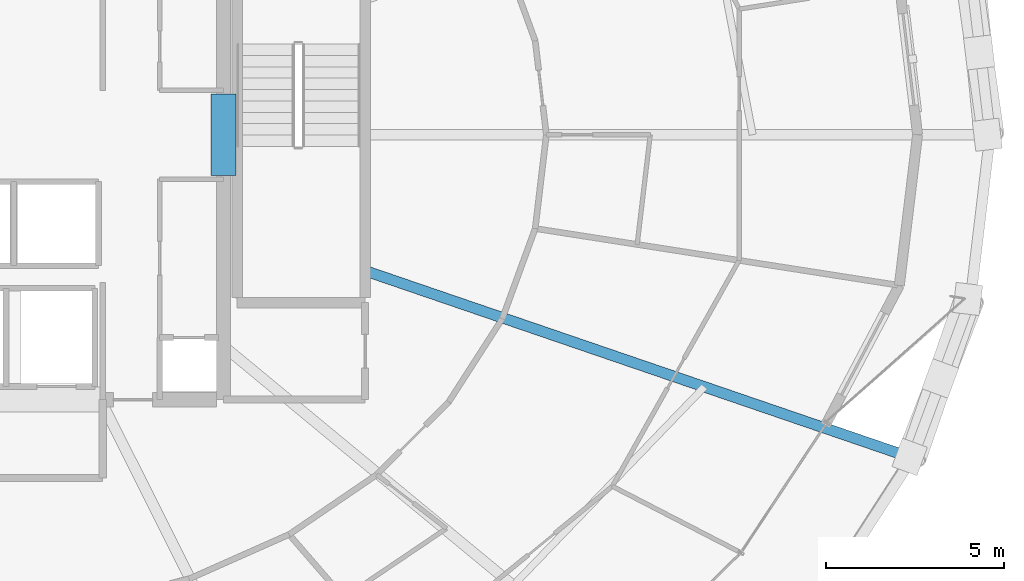
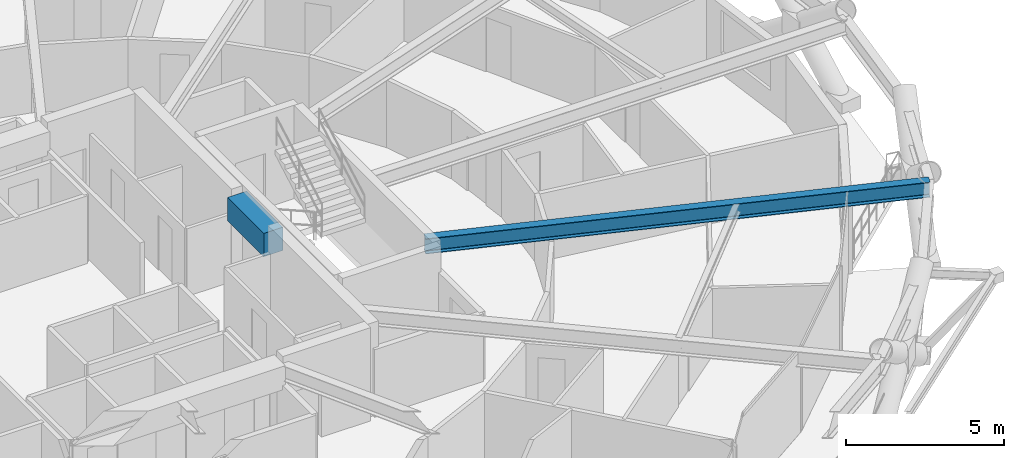
# One storey, part 11 of 21: 2 beams.
"""IFC4 building model written with IfcOpenShell, lengths in metres."""

import ifcopenshell
import ifcopenshell.guid

model = None  # the IFC model being written
_history = None  # IfcOwnerHistory: only IFC2X3 demands one
_inside = {}  # id of a spatial element -> (the spatial element, [elements in it])
_under = {}  # id of a project, library or spatial element -> (it, [spatial elements below it])
_declared = {}  # id of a project -> (the project, [libraries it declares])
_typed = {}  # id of a type object -> (the type object, [elements of that type])
_made_of = {}  # id of a material, layer set ... -> (it, [elements and type objects made of it])


def new_model(schema):
    """Start an empty IFC model of exactly this schema.

    Asked for "IFC4X3", IfcOpenShell would pick the latest addendum, in which some entities
    have other attributes; the version numbers below select the first issue.
    IFC2X3 requires an IfcOwnerHistory on every rooted entity: one is made here for all.
    """
    global model, _history
    if schema == "IFC4X3":
        model = ifcopenshell.file(schema_version=(4, 3, 0, 0))
    else:
        model = ifcopenshell.file(schema=schema)
    _inside.clear()
    _under.clear()
    _declared.clear()
    _typed.clear()
    _made_of.clear()
    _history = None
    if model.schema == "IFC2X3":
        org = make("IfcOrganization", Name="unknown")
        user = make(
            "IfcPersonAndOrganization",
            ThePerson=make("IfcPerson", FamilyName="unknown"),
            TheOrganization=org,
        )
        app = make(
            "IfcApplication",
            ApplicationDeveloper=org,
            Version="unknown",
            ApplicationFullName="unknown",
            ApplicationIdentifier="unknown",
        )
        _history = make(
            "IfcOwnerHistory",
            OwningUser=user,
            OwningApplication=app,
            ChangeAction="ADDED",
            CreationDate=0,
        )
    return model


def make(cls, **values):
    """One entity of the class cls with the attributes given. An attribute that is None is left unset."""
    return model.create_entity(
        cls, **{name: value for name, value in values.items() if value is not None}
    )


def rooted(cls, **values):
    """An entity with a GlobalId (a new one), such as an element, a storey or a relation."""
    return make(cls, GlobalId=ifcopenshell.guid.new(), OwnerHistory=_history, **values)


def si_unit(unit_type, name, prefix=None):
    """IfcSIUnit, for example si_unit("LENGTHUNIT", "METRE", prefix="MILLI")."""
    return make("IfcSIUnit", UnitType=unit_type, Prefix=prefix, Name=name)


def assignment(units):
    """IfcUnitAssignment: the units of a project."""
    return None if units is None else make("IfcUnitAssignment", Units=units)


def point(xyz):
    """IfcCartesianPoint."""
    return None if xyz is None else make("IfcCartesianPoint", Coordinates=xyz)


def direction(xyz):
    """IfcDirection."""
    return None if xyz is None else make("IfcDirection", DirectionRatios=xyz)


def frame(location, z_axis=None, x_axis=None):
    """IfcAxis2Placement3D, a coordinate frame: its origin and axes. An axis left out is left unset."""
    return make(
        "IfcAxis2Placement3D",
        Location=point(location),
        Axis=direction(z_axis),
        RefDirection=direction(x_axis),
    )


def frame_2d(location, x_axis=None):
    """IfcAxis2Placement2D, a coordinate frame in the plane: its origin and x axis."""
    return make(
        "IfcAxis2Placement2D", Location=point(location), RefDirection=direction(x_axis)
    )


def origin():
    """The frame at (0, 0, 0) with its axes left unset."""
    return frame((0.0, 0.0, 0.0))


def origin_2d():
    """The frame at (0, 0) in the plane with its x axis left unset."""
    return frame_2d((0.0, 0.0))


def place(relative_to, where):
    """IfcLocalPlacement: puts the frame where relative to a parent placement (None: the world)."""
    return make(
        "IfcLocalPlacement", PlacementRelTo=relative_to, RelativePlacement=where
    )


def context(
    kind, dimensions, precision=None, world=None, true_north=None, identifier=None
):
    """IfcGeometricRepresentationContext, for example the 3D "Model" context."""
    return make(
        "IfcGeometricRepresentationContext",
        ContextIdentifier=identifier,
        ContextType=kind,
        CoordinateSpaceDimension=dimensions,
        Precision=precision,
        WorldCoordinateSystem=world,
        TrueNorth=true_north,
    )


def subcontext(parent, identifier, kind, view, scale=None):
    """IfcGeometricRepresentationSubContext, for example "Body" below "Model"."""
    return make(
        "IfcGeometricRepresentationSubContext",
        ContextIdentifier=identifier,
        ContextType=kind,
        ParentContext=parent,
        TargetScale=scale,
        TargetView=view,
    )


def project(units=None, contexts=None):
    """IfcProject with its units and contexts."""
    return rooted(
        "IfcProject",
        Name="project",
        RepresentationContexts=contexts,
        UnitsInContext=assignment(units),
    )


def spatial(cls, under=None, at=None, **own):
    """A site, building, storey or space (cls), placed at a placement, below another one or the project."""
    s = rooted(cls, ObjectPlacement=at, **own)
    if under is not None:
        _under.setdefault(under.id(), (under, []))[1].append(s)
    return s


def profile(cls, at=None, kind="AREA", **sizes):
    """A parametric profile (cls). Its sizes go by their IFC names, for example OverallWidth=200.0."""
    return make(cls, ProfileType=kind, Position=at, **sizes)


def rectangle(**sizes):
    """IfcRectangleProfileDef."""
    return profile("IfcRectangleProfileDef", **sizes)


def i_section(**sizes):
    """IfcIShapeProfileDef."""
    return profile("IfcIShapeProfileDef", **sizes)


def extrude(swept, where, along, depth):
    """IfcExtrudedAreaSolid: the profile swept, set in the frame where, extruded along a direction by depth."""
    return make(
        "IfcExtrudedAreaSolid",
        SweptArea=swept,
        Position=where,
        ExtrudedDirection=direction(along),
        Depth=depth,
    )


def shape(context_of_items, identifier, shape_type, items):
    """IfcShapeRepresentation: the items that make up one representation, for example the "Body"."""
    return make(
        "IfcShapeRepresentation",
        ContextOfItems=context_of_items,
        RepresentationIdentifier=identifier,
        RepresentationType=shape_type,
        Items=items,
    )


def material(Name=None, Category=None):
    """IfcMaterial."""
    return make("IfcMaterial", Name=Name, Category=Category)


def material_profile(
    of_material, cross_section, Name=None, Category=None, Priority=None
):
    """IfcMaterialProfile: a cross section and its material."""
    return make(
        "IfcMaterialProfile",
        Name=Name,
        Material=of_material,
        Profile=cross_section,
        Priority=Priority,
        Category=Category,
    )


def profile_set(profiles, Name=None, composite=None):
    """IfcMaterialProfileSet."""
    return make(
        "IfcMaterialProfileSet",
        Name=Name,
        MaterialProfiles=profiles,
        CompositeProfile=composite,
    )


def made_of(thing, what):
    """Note that an element or type object is made of a material, layer set ...; save() writes the relation."""
    if what is not None:
        _made_of.setdefault(what.id(), (what, []))[1].append(thing)
    return thing


def type_object(cls, material=None, **own):
    """A type object (cls), such as IfcWallType, which elements share."""
    return made_of(rooted(cls, **own), material)


def element(
    cls,
    number,
    at=None,
    inside=None,
    cuts=None,
    type_object=None,
    material=None,
    context=None,
    identifier="Body",
    shape_type=None,
    held_by="IfcProductDefinitionShape",
    body=None,
    shapes=None,
    **own,
):
    """One element of the class cls, such as IfcWall. Its Tag is "e" and its number.

    at: its placement. inside: the storey or other place that contains it. cuts: it is an
    opening in that element (IfcRelVoidsElement). A single representation is given by context,
    identifier, shape_type and body (its items); several are given by shapes. held_by: the class
    of the entity that holds the representations. save() writes the other relations.
    """
    e = rooted(cls, Tag="e%d" % number, ObjectPlacement=at, **own)
    if body is not None:
        shapes = [shape(context, identifier, shape_type, body)]
    if shapes is not None:
        e.Representation = make(held_by, Representations=shapes)
    if inside is not None:
        _inside.setdefault(inside.id(), (inside, []))[1].append(e)
    if cuts is not None:
        rooted(
            "IfcRelVoidsElement", RelatingBuildingElement=cuts, RelatedOpeningElement=e
        )
    if type_object is not None:
        _typed.setdefault(type_object.id(), (type_object, []))[1].append(e)
    return made_of(e, material)


def aggregate(whole, parts):
    """IfcRelAggregates: a whole, such as a stair, and the parts it consists of."""
    return rooted("IfcRelAggregates", RelatingObject=whole, RelatedObjects=parts)


def save(model, path):
    """Write the relations noted so far, then the file.

    IfcRelAggregates (storeys below a building ...), IfcRelContainedInSpatialStructure (elements
    in a storey), IfcRelDefinesByType, IfcRelAssociatesMaterial and IfcRelDeclares: one each for
    every whole, place, type object, material and project.
    """
    for whole, parts in _under.values():
        aggregate(whole, parts)
    for where, things in _inside.values():
        rooted(
            "IfcRelContainedInSpatialStructure",
            RelatedElements=things,
            RelatingStructure=where,
        )
    for kind, things in _typed.values():
        rooted("IfcRelDefinesByType", RelatedObjects=things, RelatingType=kind)
    for what, things in _made_of.values():
        rooted("IfcRelAssociatesMaterial", RelatedObjects=things, RelatingMaterial=what)
    for by, libraries in _declared.values():
        rooted("IfcRelDeclares", RelatingContext=by, RelatedDefinitions=libraries)
    model.write(path)


model = new_model("IFC4")

# Units and contexts
model_context = context("Model", 3, precision=1e-05, world=origin(), true_north=direction((0.0, 1.0)))
body_context = subcontext(model_context, "Body", "Model", "MODEL_VIEW")
ifc_project = project(units=[si_unit("LENGTHUNIT", "METRE"), si_unit("AREAUNIT", "SQUARE_METRE"), si_unit("VOLUMEUNIT", "CUBIC_METRE"), si_unit("PLANEANGLEUNIT", "RADIAN"), si_unit("MASSUNIT", "GRAM", prefix="KILO")], contexts=[model_context])

# Site, building, storey
site_placement = place(None, origin())
site = spatial("IfcSite", under=ifc_project, at=site_placement, CompositionType="ELEMENT")
building_placement = place(site_placement, origin())
building = spatial("IfcBuilding", under=site, at=building_placement, Name="Veldorina Hangang Commons", CompositionType="ELEMENT")
storey_placement = place(building_placement, frame((0.0, 0.0, 59.199951171875)))
storey = spatial("IfcBuildingStorey", under=building, at=storey_placement, Name="L14", CompositionType="ELEMENT", Elevation=59.199951171875)

# Beams
ifc_material_1 = material(Name="Concrete C70/85", Category="concrete")
ifc_material_profile_1 = material_profile(ifc_material_1, rectangle(XDim=0.699951171875, YDim=0.89990234375, at=origin_2d()), Name="RC-CB-700x900")
ifc_profile_set_1 = profile_set([ifc_material_profile_1], Name="Concrete C70/85")
beam_type_1 = type_object("IfcBeamType", Name="BM-CB900", PredefinedType="LINTEL", material=ifc_profile_set_1)
beam_1_placement = place(storey_placement, frame((39.199951171875, 22.85009765625, 2.89013671875), z_axis=(0.0, 1.0, 0.0), x_axis=(-1.0, 0.0, 0.0)))
element("IfcBeam", 1, at=beam_1_placement, inside=storey, type_object=beam_type_1, Name="L14 E core coupling lintel beam", PredefinedType="LINTEL", context=body_context, shape_type="SweptSolid", body=[
    extrude(rectangle(XDim=0.699951171875, YDim=0.89990234375, at=origin_2d()), origin(), (0.0, 0.0, 1.0), 2.2998046875),
])
ifc_material_2 = material(Name="Steel SM460-TMC", Category="steel")
ifc_material_profile_2 = material_profile(ifc_material_2, i_section(OverallWidth=0.300048828125, OverallDepth=0.587890625, WebThickness=0.011962890625, FlangeThickness=0.02001953125, FilletRadius=0.01806640625, at=origin_2d()), Name="H-588x300x12x20")
ifc_profile_set_2 = profile_set([ifc_material_profile_2], Name="Steel SM460-TMC")
beam_type_2 = type_object("IfcBeamType", Name="BM-FG588", PredefinedType="BEAM", material=ifc_profile_set_2)
beam_2_placement = place(storey_placement, frame((43.179931640625, 20.17431640625, 3.046142578125), z_axis=(0.94614147517, -0.323753469422, 0.0), x_axis=(0.323753469422, 0.94614147517, 0.0)))
element("IfcBeam", 2, at=beam_2_placement, inside=storey, type_object=beam_type_2, Name="L14 radial floor girder 16", PredefinedType="BEAM", context=body_context, shape_type="SweptSolid", body=[
    extrude(i_section(OverallWidth=0.300048828125, OverallDepth=0.587890625, WebThickness=0.011962890625, FlangeThickness=0.02001953125, FilletRadius=0.01806640625, at=origin_2d()), origin(), (0.0, 0.0, 1.0), 16.260498046875),
])

save(model, "model.ifc")
